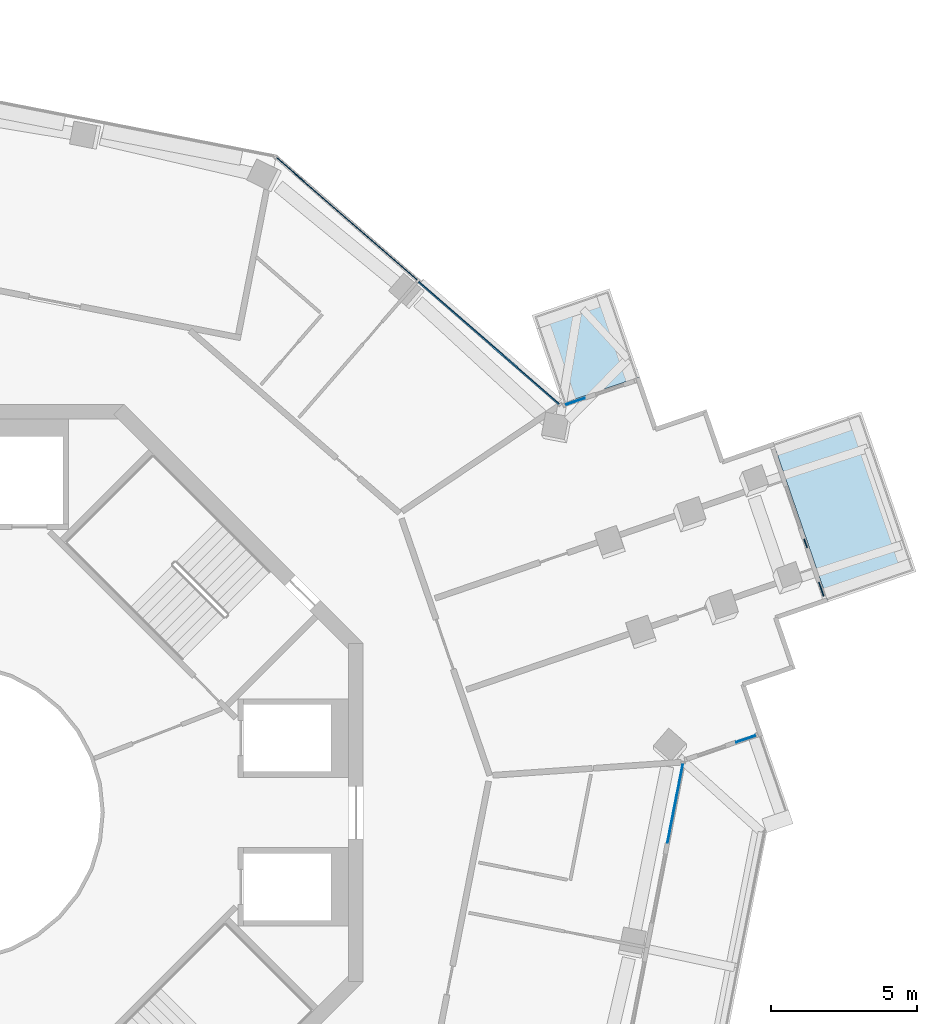
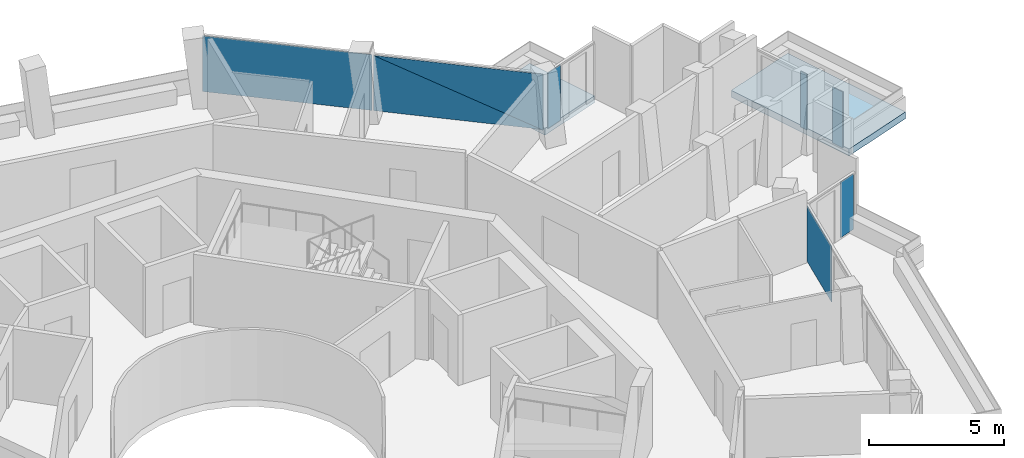
# One storey, part 13 of 22: 8 plates, 2 slabs, 5 elements without a shape of their own.
"""IFC4 building model written with IfcOpenShell, lengths in metres."""

from ifc_helpers import new_model, si_unit, direction, frame, origin, origin_2d, place, context, subcontext, project, spatial, polyline, rectangle, outline, extrude, material, layer, layer_set, type_object, element, aggregate, save


model = new_model("IFC4")

# Units and contexts
model_context = context("Model", 3, precision=1e-05, world=origin(), true_north=direction((0.0, 1.0)))
body_context = subcontext(model_context, "Body", "Model", "MODEL_VIEW")
ifc_project = project(units=[si_unit("LENGTHUNIT", "METRE"), si_unit("AREAUNIT", "SQUARE_METRE"), si_unit("VOLUMEUNIT", "CUBIC_METRE"), si_unit("PLANEANGLEUNIT", "RADIAN"), si_unit("MASSUNIT", "GRAM", prefix="KILO")], contexts=[model_context])

# Site, building, storey
site_placement = place(None, origin())
site = spatial("IfcSite", under=ifc_project, at=site_placement, CompositionType="ELEMENT")
building_placement = place(site_placement, origin())
building = spatial("IfcBuilding", under=site, at=building_placement, Name="Verdalira Terraces Hotel", CompositionType="ELEMENT")
storey_placement = place(building_placement, frame((0.0, 0.0, 234.0)))
storey = spatial("IfcBuildingStorey", under=building, at=storey_placement, Name="L57", CompositionType="ELEMENT", Elevation=234.0)

# Slabs
ifc_material_1 = material(Name="Precast concrete C40/50", Category="concrete")
ifc_layer_1 = layer(ifc_material_1, 0.31005859375)
ifc_layer_set_1 = layer_set([ifc_layer_1], Name="Balcony deck 310")
slab_type = type_object("IfcSlabType", Name="Balcony deck 310", PredefinedType="FLOOR", material=ifc_layer_set_1)
slab_1_placement = place(storey_placement, frame((0.0, 0.0, -0.310059)))
element("IfcSlab", 1, at=slab_1_placement, inside=storey, type_object=slab_type, Name="Balcony deck", PredefinedType="FLOOR", context=body_context, shape_type="SweptSolid", body=[
    extrude(outline(polyline([(31.085205, 13.745605), (28.058838, 12.705811), (29.943359, 7.220703), (32.969727, 8.260254), (31.085205, 13.745605)])), origin(), (0.0, 0.0, 1.0), 0.310059),
])
slab_2_placement = place(storey_placement, frame((0.0, 0.0, -0.310059)))
element("IfcSlab", 2, at=slab_2_placement, inside=storey, type_object=slab_type, Name="Balcony deck", PredefinedType="FLOOR", context=body_context, shape_type="SweptSolid", body=[
    extrude(outline(polyline([(19.790527, 17.05542), (20.830322, 14.029053), (23.484619, 14.940918), (22.444824, 17.967285), (19.790527, 17.05542)])), origin(), (0.0, 0.0, 1.0), 0.310059),
])

# Curtain wall, plate
ifc_material_2 = material(Name="Clear glass", Category="glass")
ifc_layer_2 = layer(ifc_material_2, 0.14990234375)
ifc_layer_set_2 = layer_set([ifc_layer_2], Name="CW1 curtain wall")
curtain_wall_type_1 = type_object("IfcCurtainWallType", Name="CW1 curtain wall", PredefinedType="NOTDEFINED", material=ifc_layer_set_2)
curtain_wall_1_placement = place(storey_placement, origin())
curtain_wall_1 = element("IfcCurtainWall", 3, at=curtain_wall_1_placement, inside=storey, type_object=curtain_wall_type_1, Name="CW1 curtain wall L57 edge 27", PredefinedType="NOTDEFINED")
ifc_material_3 = material(Name="Clear glass", Category="glass")
ifc_layer_3 = layer(ifc_material_3, 0.028076171875)
ifc_layer_set_3 = layer_set([ifc_layer_3], Name="CW1 glass unit 28")
plate_type_1 = type_object("IfcPlateType", Name="CW1 glass unit 28", PredefinedType="CURTAIN_PANEL", material=ifc_layer_set_3)
plate_1_placement = place(storey_placement, frame((24.702881, 0.326172, 0.0), z_axis=(0.0, 0.0, 1.0), x_axis=(0.191494254, 0.981493734, 0.0)))
plate_1 = element("IfcPlate", 4, at=plate_1_placement, type_object=plate_type_1, Name="CW1 glass unit", PredefinedType="CURTAIN_PANEL", context=body_context, shape_type="SweptSolid", body=[
    extrude(rectangle(XDim=2.778809, YDim=0.028076, at=origin_2d()), origin(), (0.0, 0.0, 1.0), 2.524902),
])
aggregate(curtain_wall_1, [plate_1])

# Curtain wall, plates
curtain_wall_2_placement = place(storey_placement, origin())
curtain_wall_2 = element("IfcCurtainWall", 5, at=curtain_wall_2_placement, inside=storey, type_object=curtain_wall_type_1, Name="CW1 curtain wall L57 edge 39", PredefinedType="NOTDEFINED")
plate_2_placement = place(storey_placement, frame((18.309082, 16.105713, 1.262451), z_axis=(0.656585756, 0.754251381, 0.0), x_axis=(-0.754251381, 0.656585756, 0.0)))
plate_2 = element("IfcPlate", 6, at=plate_2_placement, type_object=plate_type_1, Name="CW1 glass unit", PredefinedType="CURTAIN_PANEL", context=body_context, shape_type="SweptSolid", body=[
    extrude(outline(polyline([(-3.205078, -1.262451), (3.205078, -1.262451), (3.205078, 1.262451), (-3.205078, -1.262451)])), origin(), (0.0, 0.0, 1.0), 0.028076),
])
plate_3_placement = place(storey_placement, frame((18.290039, 16.08374, 1.262451), z_axis=(0.656585756, 0.754251381, 0.0), x_axis=(-0.754251381, 0.656585756, 0.0)))
plate_3 = element("IfcPlate", 7, at=plate_3_placement, type_object=plate_type_1, Name="CW1 glass unit", PredefinedType="CURTAIN_PANEL", context=body_context, shape_type="SweptSolid", body=[
    extrude(outline(polyline([(-3.205078, -1.262451), (3.205078, 1.262451), (-3.205078, 1.262451), (-3.205078, -1.262451)])), origin(), (0.0, 0.0, 1.0), 0.028076),
])
plate_4_placement = place(storey_placement, frame((13.438477, 20.364258, 0.0), z_axis=(0.0, 0.0, 1.0), x_axis=(-0.754251381, 0.656585756, 0.0)))
plate_4 = element("IfcPlate", 8, at=plate_4_placement, type_object=plate_type_1, Name="CW1 glass unit", PredefinedType="CURTAIN_PANEL", context=body_context, shape_type="SweptSolid", body=[
    extrude(rectangle(XDim=6.409912, YDim=0.028076, at=origin_2d()), origin(), (0.0, 0.0, 1.0), 2.524902),
])
aggregate(curtain_wall_2, [plate_2, plate_3, plate_4])

# Curtain wall, plate
ifc_material_4 = material(Name="Clear glass", Category="glass")
ifc_layer_4 = layer(ifc_material_4, 0.14990234375)
ifc_layer_set_4 = layer_set([ifc_layer_4], Name="CW2 curtain wall")
curtain_wall_type_2 = type_object("IfcCurtainWallType", Name="CW2 curtain wall", PredefinedType="NOTDEFINED", material=ifc_layer_set_4)
curtain_wall_3_placement = place(storey_placement, origin())
curtain_wall_3 = element("IfcCurtainWall", 9, at=curtain_wall_3_placement, inside=storey, type_object=curtain_wall_type_2, Name="CW2 curtain wall L57 edge 28", PredefinedType="NOTDEFINED")
ifc_material_5 = material(Name="Clear glass", Category="glass")
ifc_layer_5 = layer(ifc_material_5, 0.031982421875)
ifc_layer_set_5 = layer_set([ifc_layer_5], Name="CW2 glass unit 32")
plate_type_2 = type_object("IfcPlateType", Name="CW2 glass unit 32", PredefinedType="CURTAIN_PANEL", material=ifc_layer_set_5)
plate_5_placement = place(storey_placement, frame((27.137207, 2.529297, 0.0), z_axis=(0.0, 0.0, 1.0), x_axis=(0.945745635, 0.324907979, 0.0)))
plate_5 = element("IfcPlate", 10, at=plate_5_placement, type_object=plate_type_2, Name="CW2 glass unit", PredefinedType="CURTAIN_PANEL", context=body_context, shape_type="SweptSolid", body=[
    extrude(rectangle(XDim=0.716553, YDim=0.031982, at=origin_2d()), origin(), (0.0, 0.0, 1.0), 2.524902),
])
aggregate(curtain_wall_3, [plate_5])

curtain_wall_4_placement = place(storey_placement, origin())
curtain_wall_4 = element("IfcCurtainWall", 11, at=curtain_wall_4_placement, inside=storey, type_object=curtain_wall_type_2, Name="CW2 curtain wall L57 edge 38", PredefinedType="NOTDEFINED")
plate_6_placement = place(storey_placement, frame((21.259766, 14.097168, 0.0), z_axis=(0.0, 0.0, 1.0), x_axis=(-0.945745635, -0.324907979, 0.0)))
plate_6 = element("IfcPlate", 12, at=plate_6_placement, type_object=plate_type_2, Name="CW2 glass unit", PredefinedType="CURTAIN_PANEL", context=body_context, shape_type="SweptSolid", body=[
    extrude(rectangle(XDim=0.716553, YDim=0.031982, at=origin_2d()), origin(), (0.0, 0.0, 1.0), 2.524902),
])
aggregate(curtain_wall_4, [plate_6])

# Curtain wall, plates
ifc_material_6 = material(Name="Clear glass", Category="glass")
ifc_layer_6 = layer(ifc_material_6, 0.14990234375)
ifc_layer_set_6 = layer_set([ifc_layer_6], Name="CW3 curtain wall")
curtain_wall_type_3 = type_object("IfcCurtainWallType", Name="CW3 curtain wall", PredefinedType="NOTDEFINED", material=ifc_layer_set_6)
curtain_wall_5_placement = place(storey_placement, origin())
curtain_wall_5 = element("IfcCurtainWall", 13, at=curtain_wall_5_placement, inside=storey, type_object=curtain_wall_type_3, Name="CW3 curtain wall L57 edge 33", PredefinedType="NOTDEFINED")
ifc_material_7 = material(Name="Clear glass", Category="glass")
ifc_layer_7 = layer(ifc_material_7, 0.035888671875)
ifc_layer_set_7 = layer_set([ifc_layer_7], Name="CW3 glass unit 36")
plate_type_3 = type_object("IfcPlateType", Name="CW3 glass unit 36", PredefinedType="CURTAIN_PANEL", material=ifc_layer_set_7)
plate_7_placement = place(storey_placement, frame((29.714844, 7.655029, 0.0), z_axis=(0.0, 0.0, 1.0), x_axis=(-0.324907979, 0.945745635, 0.0)))
plate_7 = element("IfcPlate", 14, at=plate_7_placement, type_object=plate_type_3, Name="CW3 glass unit", PredefinedType="CURTAIN_PANEL", context=body_context, shape_type="SweptSolid", body=[
    extrude(rectangle(XDim=0.51001, YDim=0.035889, at=origin_2d()), origin(), (0.0, 0.0, 1.0), 2.524902),
])
plate_8_placement = place(storey_placement, frame((29.172363, 9.233887, 0.0), z_axis=(0.0, 0.0, 1.0), x_axis=(-0.324907979, 0.945745635, 0.0)))
plate_8 = element("IfcPlate", 15, at=plate_8_placement, type_object=plate_type_3, Name="CW3 glass unit", PredefinedType="CURTAIN_PANEL", context=body_context, shape_type="SweptSolid", body=[
    extrude(rectangle(XDim=0.310791, YDim=0.035889, at=origin_2d()), origin(), (0.0, 0.0, 1.0), 2.524902),
])
aggregate(curtain_wall_5, [plate_7, plate_8])

save(model, "model.ifc")
